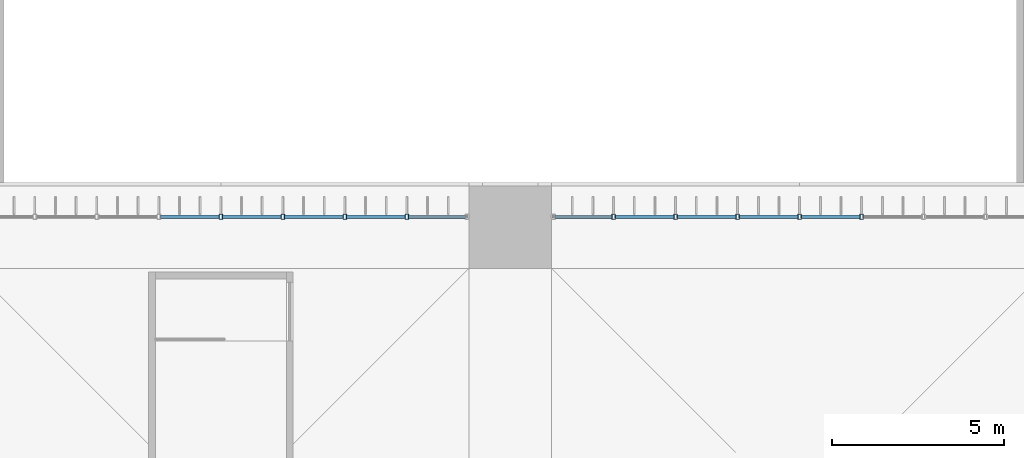
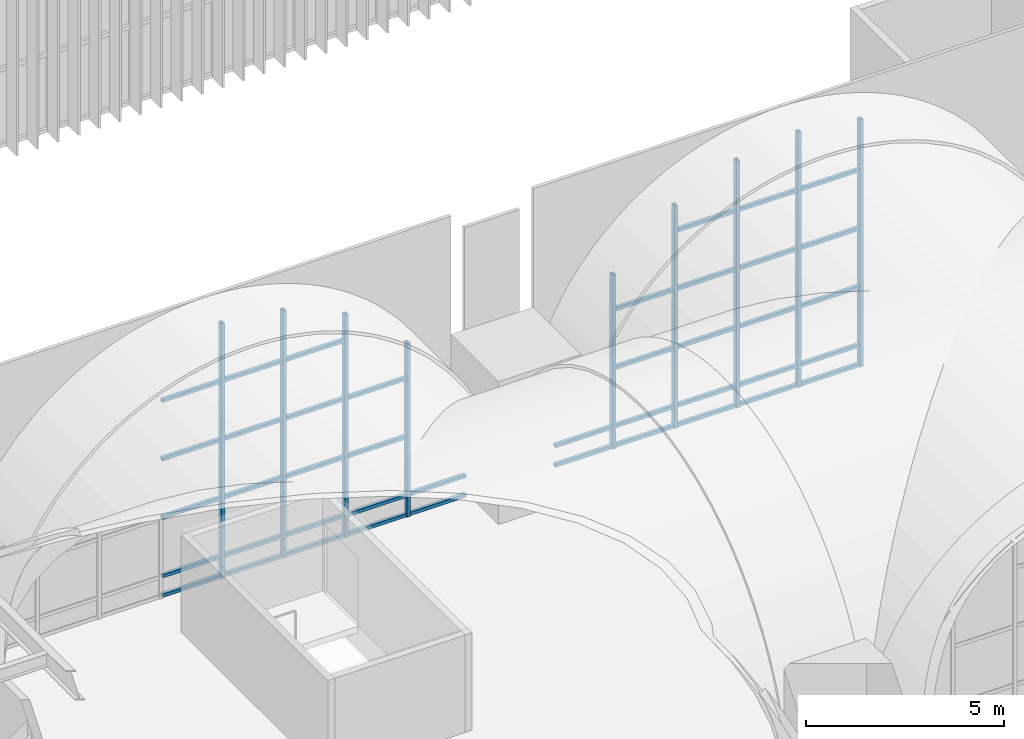
# One storey, part 28 of 169: 51 members, 2 elements without a shape of their own.
"""IFC4 building model written with IfcOpenShell, lengths in metres."""

from ifc_helpers import new_model, si_unit, direction, frame, origin, origin_2d, place, context, subcontext, project, spatial, hollow_rectangle, extrude, material, layer, layer_set, material_profile, profile_set, type_object, element, aggregate, save


model = new_model("IFC4")

# Units and contexts
model_context = context("Model", 3, precision=1e-05, world=origin(), true_north=direction((0.0, 1.0)))
body_context = subcontext(model_context, "Body", "Model", "MODEL_VIEW")
ifc_project = project(units=[si_unit("LENGTHUNIT", "METRE"), si_unit("AREAUNIT", "SQUARE_METRE"), si_unit("VOLUMEUNIT", "CUBIC_METRE"), si_unit("PLANEANGLEUNIT", "RADIAN"), si_unit("MASSUNIT", "GRAM", prefix="KILO")], contexts=[model_context])

# Site, building, storey
site_placement = place(None, origin())
site = spatial("IfcSite", under=ifc_project, at=site_placement, CompositionType="ELEMENT")
building_placement = place(site_placement, origin())
building = spatial("IfcBuilding", under=site, at=building_placement, Name="Verrick Yard Athletic Hall", CompositionType="ELEMENT")
storey_placement = place(building_placement, frame((0.0, 0.0, 4.39990234375)))
storey = spatial("IfcBuildingStorey", under=building, at=storey_placement, Name="L01", CompositionType="ELEMENT", Elevation=4.39990234375)

# Curtain wall, members
ifc_material_1 = material(Name="Aluminium and glass curtain wall", Category="aluminium")
ifc_layer = layer(ifc_material_1, 0.14990234375)
ifc_layer_set = layer_set([ifc_layer], Name="Arcade glazing arch")
curtain_wall_type = type_object("IfcCurtainWallType", Name="Arcade glazing arch", PredefinedType="NOTDEFINED", material=ifc_layer_set)
curtain_wall_1_placement = place(storey_placement, origin())
curtain_wall_1 = element("IfcCurtainWall", 1, at=curtain_wall_1_placement, inside=storey, type_object=curtain_wall_type, Name="Arcade glazing N1", PredefinedType="NOTDEFINED")
ifc_material_2 = material(Name="Structural steel HSS Class C 350W (CSA G40.20/G40.21)", Category="steel")
ifc_material_profile_1 = material_profile(ifc_material_2, hollow_rectangle(XDim=0.1015625, YDim=0.15234375, WallThickness=0.008056640625, at=origin_2d()), Name="HSS152x102x7.9")
ifc_profile_set_1 = profile_set([ifc_material_profile_1], Name="Structural steel HSS Class C 350W (CSA G40.20/G40.21)")
member_type_1 = type_object("IfcMemberType", Name="Curtain wall mullion HSS152x102x7.9", PredefinedType="MULLION", material=ifc_profile_set_1)
member_1_placement = place(storey_placement, frame((48.39990234375, 53.10009765625, 0.0), z_axis=(0.0, 0.0, 1.0), x_axis=(1.0, 0.0, 0.0)))
member_1 = element("IfcMember", 2, at=member_1_placement, type_object=member_type_1, Name="Arcade glazing N1 mullion 5", PredefinedType="MULLION", context=body_context, shape_type="SweptSolid", body=[
    extrude(hollow_rectangle(XDim=0.1015625, YDim=0.15234375, WallThickness=0.008056640625, at=origin_2d()), origin(), (0.0, 0.0, 1.0), 7.8486328125),
])
member_2_placement = place(storey_placement, frame((50.199951171875, 53.10009765625, 0.0), z_axis=(0.0, 0.0, 1.0), x_axis=(1.0, 0.0, 0.0)))
member_2 = element("IfcMember", 3, at=member_2_placement, type_object=member_type_1, Name="Arcade glazing N1 mullion 6", PredefinedType="MULLION", context=body_context, shape_type="SweptSolid", body=[
    extrude(hollow_rectangle(XDim=0.1015625, YDim=0.15234375, WallThickness=0.008056640625, at=origin_2d()), origin(), (0.0, 0.0, 1.0), 7.607666015625),
])
member_3_placement = place(storey_placement, frame((52.0, 53.10009765625, 0.0), z_axis=(0.0, 0.0, 1.0), x_axis=(1.0, 0.0, 0.0)))
member_3 = element("IfcMember", 4, at=member_3_placement, type_object=member_type_1, Name="Arcade glazing N1 mullion 7", PredefinedType="MULLION", context=body_context, shape_type="SweptSolid", body=[
    extrude(hollow_rectangle(XDim=0.1015625, YDim=0.15234375, WallThickness=0.008056640625, at=origin_2d()), origin(), (0.0, 0.0, 1.0), 6.8544921875),
])
member_4_placement = place(storey_placement, frame((53.800048828125, 53.10009765625, 0.0), z_axis=(0.0, 0.0, 1.0), x_axis=(1.0, 0.0, 0.0)))
member_4 = element("IfcMember", 5, at=member_4_placement, type_object=member_type_1, Name="Arcade glazing N1 mullion 8", PredefinedType="MULLION", context=body_context, shape_type="SweptSolid", body=[
    extrude(hollow_rectangle(XDim=0.1015625, YDim=0.15234375, WallThickness=0.008056640625, at=origin_2d()), origin(), (0.0, 0.0, 1.0), 5.351806640625),
])

curtain_wall_2_placement = place(storey_placement, origin())
curtain_wall_2 = element("IfcCurtainWall", 6, at=curtain_wall_2_placement, inside=storey, type_object=curtain_wall_type, Name="Arcade glazing N2", PredefinedType="NOTDEFINED")
member_5_placement = place(storey_placement, frame((59.800048828125, 53.10009765625, 0.0), z_axis=(0.0, 0.0, 1.0), x_axis=(1.0, 0.0, 0.0)))
member_5 = element("IfcMember", 7, at=member_5_placement, type_object=member_type_1, Name="Arcade glazing N2 mullion 2", PredefinedType="MULLION", context=body_context, shape_type="SweptSolid", body=[
    extrude(hollow_rectangle(XDim=0.1015625, YDim=0.15234375, WallThickness=0.008056640625, at=origin_2d()), origin(), (0.0, 0.0, 1.0), 5.351806640625),
])
member_6_placement = place(storey_placement, frame((61.60009765625, 53.10009765625, 0.0), z_axis=(0.0, 0.0, 1.0), x_axis=(1.0, 0.0, 0.0)))
member_6 = element("IfcMember", 8, at=member_6_placement, type_object=member_type_1, Name="Arcade glazing N2 mullion 3", PredefinedType="MULLION", context=body_context, shape_type="SweptSolid", body=[
    extrude(hollow_rectangle(XDim=0.1015625, YDim=0.15234375, WallThickness=0.008056640625, at=origin_2d()), origin(), (0.0, 0.0, 1.0), 6.8544921875),
])
member_7_placement = place(storey_placement, frame((63.39990234375, 53.10009765625, 0.0), z_axis=(0.0, 0.0, 1.0), x_axis=(1.0, 0.0, 0.0)))
member_7 = element("IfcMember", 9, at=member_7_placement, type_object=member_type_1, Name="Arcade glazing N2 mullion 4", PredefinedType="MULLION", context=body_context, shape_type="SweptSolid", body=[
    extrude(hollow_rectangle(XDim=0.1015625, YDim=0.15234375, WallThickness=0.008056640625, at=origin_2d()), origin(), (0.0, 0.0, 1.0), 7.607666015625),
])
member_8_placement = place(storey_placement, frame((65.199951171875, 53.10009765625, 0.0), z_axis=(0.0, 0.0, 1.0), x_axis=(1.0, 0.0, 0.0)))
member_8 = element("IfcMember", 10, at=member_8_placement, type_object=member_type_1, Name="Arcade glazing N2 mullion 5", PredefinedType="MULLION", context=body_context, shape_type="SweptSolid", body=[
    extrude(hollow_rectangle(XDim=0.1015625, YDim=0.15234375, WallThickness=0.008056640625, at=origin_2d()), origin(), (0.0, 0.0, 1.0), 7.8486328125),
])
member_9_placement = place(storey_placement, frame((67.0, 53.10009765625, 0.0), z_axis=(0.0, 0.0, 1.0), x_axis=(1.0, 0.0, 0.0)))
member_9 = element("IfcMember", 11, at=member_9_placement, type_object=member_type_1, Name="Arcade glazing N2 mullion 6", PredefinedType="MULLION", context=body_context, shape_type="SweptSolid", body=[
    extrude(hollow_rectangle(XDim=0.1015625, YDim=0.15234375, WallThickness=0.008056640625, at=origin_2d()), origin(), (0.0, 0.0, 1.0), 7.607666015625),
])

# Member
ifc_material_profile_2 = material_profile(ifc_material_2, hollow_rectangle(XDim=0.1015625, YDim=0.1015625, WallThickness=0.00634765625, at=origin_2d()), Name="HSS102x102x6.4")
ifc_profile_set_2 = profile_set([ifc_material_profile_2], Name="Structural steel HSS Class C 350W (CSA G40.20/G40.21)")
member_type_2 = type_object("IfcMemberType", Name="Curtain wall transom HSS102x102x6.4", PredefinedType="USERDEFINED", material=ifc_profile_set_2)
member_10_placement = place(storey_placement, frame((46.65087890625, 53.10009765625, 0.05078125), z_axis=(1.0, 0.0, 0.0), x_axis=(0.0, 1.0, 0.0)))
member_10 = element("IfcMember", 12, at=member_10_placement, type_object=member_type_2, Name="Arcade glazing N1 transom 12", ObjectType="TRANSOM", PredefinedType="USERDEFINED", context=body_context, shape_type="SweptSolid", body=[
    extrude(hollow_rectangle(XDim=0.1015625, YDim=0.1015625, WallThickness=0.00634765625, at=origin_2d()), origin(), (0.0, 0.0, 1.0), 1.6982421875),
])

member_11_placement = place(storey_placement, frame((46.65087890625, 53.10009765625, 0.650146484375), z_axis=(1.0, 0.0, 0.0), x_axis=(0.0, 1.0, 0.0)))
member_11 = element("IfcMember", 13, at=member_11_placement, type_object=member_type_2, Name="Arcade glazing N1 transom 13", ObjectType="TRANSOM", PredefinedType="USERDEFINED", context=body_context, shape_type="SweptSolid", body=[
    extrude(hollow_rectangle(XDim=0.1015625, YDim=0.1015625, WallThickness=0.00634765625, at=origin_2d()), origin(), (0.0, 0.0, 1.0), 1.6982421875),
])

member_12_placement = place(storey_placement, frame((46.65087890625, 53.10009765625, 2.4501953125), z_axis=(1.0, 0.0, 0.0), x_axis=(0.0, 1.0, 0.0)))
member_12 = element("IfcMember", 14, at=member_12_placement, type_object=member_type_2, Name="Arcade glazing N1 transom 14", ObjectType="TRANSOM", PredefinedType="USERDEFINED", context=body_context, shape_type="SweptSolid", body=[
    extrude(hollow_rectangle(XDim=0.1015625, YDim=0.1015625, WallThickness=0.00634765625, at=origin_2d()), origin(), (0.0, 0.0, 1.0), 1.6982421875),
])

member_13_placement = place(storey_placement, frame((46.65087890625, 53.10009765625, 4.25), z_axis=(1.0, 0.0, 0.0), x_axis=(0.0, 1.0, 0.0)))
member_13 = element("IfcMember", 15, at=member_13_placement, type_object=member_type_2, Name="Arcade glazing N1 transom 15", ObjectType="TRANSOM", PredefinedType="USERDEFINED", context=body_context, shape_type="SweptSolid", body=[
    extrude(hollow_rectangle(XDim=0.1015625, YDim=0.1015625, WallThickness=0.00634765625, at=origin_2d()), origin(), (0.0, 0.0, 1.0), 1.6982421875),
])

member_14_placement = place(storey_placement, frame((46.65087890625, 53.10009765625, 6.050048828125), z_axis=(1.0, 0.0, 0.0), x_axis=(0.0, 1.0, 0.0)))
member_14 = element("IfcMember", 16, at=member_14_placement, type_object=member_type_2, Name="Arcade glazing N1 transom 16", ObjectType="TRANSOM", PredefinedType="USERDEFINED", context=body_context, shape_type="SweptSolid", body=[
    extrude(hollow_rectangle(XDim=0.1015625, YDim=0.1015625, WallThickness=0.00634765625, at=origin_2d()), origin(), (0.0, 0.0, 1.0), 1.6982421875),
])

member_15_placement = place(storey_placement, frame((48.45068359375, 53.10009765625, 0.05078125), z_axis=(1.0, 0.0, 0.0), x_axis=(0.0, 1.0, 0.0)))
member_15 = element("IfcMember", 17, at=member_15_placement, type_object=member_type_2, Name="Arcade glazing N1 transom 17", ObjectType="TRANSOM", PredefinedType="USERDEFINED", context=body_context, shape_type="SweptSolid", body=[
    extrude(hollow_rectangle(XDim=0.1015625, YDim=0.1015625, WallThickness=0.00634765625, at=origin_2d()), origin(), (0.0, 0.0, 1.0), 1.698486328125),
])

member_16_placement = place(storey_placement, frame((48.45068359375, 53.10009765625, 0.650146484375), z_axis=(1.0, 0.0, 0.0), x_axis=(0.0, 1.0, 0.0)))
member_16 = element("IfcMember", 18, at=member_16_placement, type_object=member_type_2, Name="Arcade glazing N1 transom 18", ObjectType="TRANSOM", PredefinedType="USERDEFINED", context=body_context, shape_type="SweptSolid", body=[
    extrude(hollow_rectangle(XDim=0.1015625, YDim=0.1015625, WallThickness=0.00634765625, at=origin_2d()), origin(), (0.0, 0.0, 1.0), 1.698486328125),
])

member_17_placement = place(storey_placement, frame((48.45068359375, 53.10009765625, 2.4501953125), z_axis=(1.0, 0.0, 0.0), x_axis=(0.0, 1.0, 0.0)))
member_17 = element("IfcMember", 19, at=member_17_placement, type_object=member_type_2, Name="Arcade glazing N1 transom 19", ObjectType="TRANSOM", PredefinedType="USERDEFINED", context=body_context, shape_type="SweptSolid", body=[
    extrude(hollow_rectangle(XDim=0.1015625, YDim=0.1015625, WallThickness=0.00634765625, at=origin_2d()), origin(), (0.0, 0.0, 1.0), 1.698486328125),
])

member_18_placement = place(storey_placement, frame((48.45068359375, 53.10009765625, 4.25), z_axis=(1.0, 0.0, 0.0), x_axis=(0.0, 1.0, 0.0)))
member_18 = element("IfcMember", 20, at=member_18_placement, type_object=member_type_2, Name="Arcade glazing N1 transom 20", ObjectType="TRANSOM", PredefinedType="USERDEFINED", context=body_context, shape_type="SweptSolid", body=[
    extrude(hollow_rectangle(XDim=0.1015625, YDim=0.1015625, WallThickness=0.00634765625, at=origin_2d()), origin(), (0.0, 0.0, 1.0), 1.698486328125),
])

member_19_placement = place(storey_placement, frame((48.45068359375, 53.10009765625, 6.050048828125), z_axis=(1.0, 0.0, 0.0), x_axis=(0.0, 1.0, 0.0)))
member_19 = element("IfcMember", 21, at=member_19_placement, type_object=member_type_2, Name="Arcade glazing N1 transom 21", ObjectType="TRANSOM", PredefinedType="USERDEFINED", context=body_context, shape_type="SweptSolid", body=[
    extrude(hollow_rectangle(XDim=0.1015625, YDim=0.1015625, WallThickness=0.00634765625, at=origin_2d()), origin(), (0.0, 0.0, 1.0), 1.698486328125),
])

member_20_placement = place(storey_placement, frame((50.250732421875, 53.10009765625, 0.05078125), z_axis=(1.0, 0.0, 0.0), x_axis=(0.0, 1.0, 0.0)))
member_20 = element("IfcMember", 22, at=member_20_placement, type_object=member_type_2, Name="Arcade glazing N1 transom 22", ObjectType="TRANSOM", PredefinedType="USERDEFINED", context=body_context, shape_type="SweptSolid", body=[
    extrude(hollow_rectangle(XDim=0.1015625, YDim=0.1015625, WallThickness=0.00634765625, at=origin_2d()), origin(), (0.0, 0.0, 1.0), 1.698486328125),
])

member_21_placement = place(storey_placement, frame((50.250732421875, 53.10009765625, 0.650146484375), z_axis=(1.0, 0.0, 0.0), x_axis=(0.0, 1.0, 0.0)))
member_21 = element("IfcMember", 23, at=member_21_placement, type_object=member_type_2, Name="Arcade glazing N1 transom 23", ObjectType="TRANSOM", PredefinedType="USERDEFINED", context=body_context, shape_type="SweptSolid", body=[
    extrude(hollow_rectangle(XDim=0.1015625, YDim=0.1015625, WallThickness=0.00634765625, at=origin_2d()), origin(), (0.0, 0.0, 1.0), 1.698486328125),
])

member_22_placement = place(storey_placement, frame((50.250732421875, 53.10009765625, 2.4501953125), z_axis=(1.0, 0.0, 0.0), x_axis=(0.0, 1.0, 0.0)))
member_22 = element("IfcMember", 24, at=member_22_placement, type_object=member_type_2, Name="Arcade glazing N1 transom 24", ObjectType="TRANSOM", PredefinedType="USERDEFINED", context=body_context, shape_type="SweptSolid", body=[
    extrude(hollow_rectangle(XDim=0.1015625, YDim=0.1015625, WallThickness=0.00634765625, at=origin_2d()), origin(), (0.0, 0.0, 1.0), 1.698486328125),
])

member_23_placement = place(storey_placement, frame((50.250732421875, 53.10009765625, 4.25), z_axis=(1.0, 0.0, 0.0), x_axis=(0.0, 1.0, 0.0)))
member_23 = element("IfcMember", 25, at=member_23_placement, type_object=member_type_2, Name="Arcade glazing N1 transom 25", ObjectType="TRANSOM", PredefinedType="USERDEFINED", context=body_context, shape_type="SweptSolid", body=[
    extrude(hollow_rectangle(XDim=0.1015625, YDim=0.1015625, WallThickness=0.00634765625, at=origin_2d()), origin(), (0.0, 0.0, 1.0), 1.698486328125),
])

member_24_placement = place(storey_placement, frame((50.250732421875, 53.10009765625, 6.050048828125), z_axis=(1.0, 0.0, 0.0), x_axis=(0.0, 1.0, 0.0)))
member_24 = element("IfcMember", 26, at=member_24_placement, type_object=member_type_2, Name="Arcade glazing N1 transom 26", ObjectType="TRANSOM", PredefinedType="USERDEFINED", context=body_context, shape_type="SweptSolid", body=[
    extrude(hollow_rectangle(XDim=0.1015625, YDim=0.1015625, WallThickness=0.00634765625, at=origin_2d()), origin(), (0.0, 0.0, 1.0), 1.698486328125),
])

member_25_placement = place(storey_placement, frame((52.05078125, 53.10009765625, 0.05078125), z_axis=(1.0, 0.0, 0.0), x_axis=(0.0, 1.0, 0.0)))
member_25 = element("IfcMember", 27, at=member_25_placement, type_object=member_type_2, Name="Arcade glazing N1 transom 27", ObjectType="TRANSOM", PredefinedType="USERDEFINED", context=body_context, shape_type="SweptSolid", body=[
    extrude(hollow_rectangle(XDim=0.1015625, YDim=0.1015625, WallThickness=0.00634765625, at=origin_2d()), origin(), (0.0, 0.0, 1.0), 1.698486328125),
])

member_26_placement = place(storey_placement, frame((52.05078125, 53.10009765625, 0.650146484375), z_axis=(1.0, 0.0, 0.0), x_axis=(0.0, 1.0, 0.0)))
member_26 = element("IfcMember", 28, at=member_26_placement, type_object=member_type_2, Name="Arcade glazing N1 transom 28", ObjectType="TRANSOM", PredefinedType="USERDEFINED", context=body_context, shape_type="SweptSolid", body=[
    extrude(hollow_rectangle(XDim=0.1015625, YDim=0.1015625, WallThickness=0.00634765625, at=origin_2d()), origin(), (0.0, 0.0, 1.0), 1.698486328125),
])

member_27_placement = place(storey_placement, frame((52.05078125, 53.10009765625, 2.4501953125), z_axis=(1.0, 0.0, 0.0), x_axis=(0.0, 1.0, 0.0)))
member_27 = element("IfcMember", 29, at=member_27_placement, type_object=member_type_2, Name="Arcade glazing N1 transom 29", ObjectType="TRANSOM", PredefinedType="USERDEFINED", context=body_context, shape_type="SweptSolid", body=[
    extrude(hollow_rectangle(XDim=0.1015625, YDim=0.1015625, WallThickness=0.00634765625, at=origin_2d()), origin(), (0.0, 0.0, 1.0), 1.698486328125),
])

member_28_placement = place(storey_placement, frame((52.05078125, 53.10009765625, 4.25), z_axis=(1.0, 0.0, 0.0), x_axis=(0.0, 1.0, 0.0)))
member_28 = element("IfcMember", 30, at=member_28_placement, type_object=member_type_2, Name="Arcade glazing N1 transom 30", ObjectType="TRANSOM", PredefinedType="USERDEFINED", context=body_context, shape_type="SweptSolid", body=[
    extrude(hollow_rectangle(XDim=0.1015625, YDim=0.1015625, WallThickness=0.00634765625, at=origin_2d()), origin(), (0.0, 0.0, 1.0), 1.698486328125),
])

member_29_placement = place(storey_placement, frame((53.850830078125, 53.10009765625, 0.05078125), z_axis=(1.0, 0.0, 0.0), x_axis=(0.0, 1.0, 0.0)))
member_29 = element("IfcMember", 31, at=member_29_placement, type_object=member_type_2, Name="Arcade glazing N1 transom 31", ObjectType="TRANSOM", PredefinedType="USERDEFINED", context=body_context, shape_type="SweptSolid", body=[
    extrude(hollow_rectangle(XDim=0.1015625, YDim=0.1015625, WallThickness=0.00634765625, at=origin_2d()), origin(), (0.0, 0.0, 1.0), 1.64697265625),
])

member_30_placement = place(storey_placement, frame((53.850830078125, 53.10009765625, 0.650146484375), z_axis=(1.0, 0.0, 0.0), x_axis=(0.0, 1.0, 0.0)))
member_30 = element("IfcMember", 32, at=member_30_placement, type_object=member_type_2, Name="Arcade glazing N1 transom 32", ObjectType="TRANSOM", PredefinedType="USERDEFINED", context=body_context, shape_type="SweptSolid", body=[
    extrude(hollow_rectangle(XDim=0.1015625, YDim=0.1015625, WallThickness=0.00634765625, at=origin_2d()), origin(), (0.0, 0.0, 1.0), 1.64697265625),
])

aggregate(curtain_wall_1, [member_1, member_2, member_3, member_4, member_10, member_11, member_12, member_13, member_14, member_15, member_16, member_17, member_18, member_19, member_20, member_21, member_22, member_23, member_24, member_25, member_26, member_27, member_28, member_29, member_30])

member_31_placement = place(storey_placement, frame((58.10205078125, 53.10009765625, 0.05078125), z_axis=(1.0, 0.0, 0.0), x_axis=(0.0, 1.0, 0.0)))
member_31 = element("IfcMember", 33, at=member_31_placement, type_object=member_type_2, Name="Arcade glazing N2 transom 1", ObjectType="TRANSOM", PredefinedType="USERDEFINED", context=body_context, shape_type="SweptSolid", body=[
    extrude(hollow_rectangle(XDim=0.1015625, YDim=0.1015625, WallThickness=0.00634765625, at=origin_2d()), origin(), (0.0, 0.0, 1.0), 1.647216796875),
])

member_32_placement = place(storey_placement, frame((58.10205078125, 53.10009765625, 0.650146484375), z_axis=(1.0, 0.0, 0.0), x_axis=(0.0, 1.0, 0.0)))
member_32 = element("IfcMember", 34, at=member_32_placement, type_object=member_type_2, Name="Arcade glazing N2 transom 2", ObjectType="TRANSOM", PredefinedType="USERDEFINED", context=body_context, shape_type="SweptSolid", body=[
    extrude(hollow_rectangle(XDim=0.1015625, YDim=0.1015625, WallThickness=0.00634765625, at=origin_2d()), origin(), (0.0, 0.0, 1.0), 1.647216796875),
])

member_33_placement = place(storey_placement, frame((59.850830078125, 53.10009765625, 0.05078125), z_axis=(1.0, 0.0, 0.0), x_axis=(0.0, 1.0, 0.0)))
member_33 = element("IfcMember", 35, at=member_33_placement, type_object=member_type_2, Name="Arcade glazing N2 transom 3", ObjectType="TRANSOM", PredefinedType="USERDEFINED", context=body_context, shape_type="SweptSolid", body=[
    extrude(hollow_rectangle(XDim=0.1015625, YDim=0.1015625, WallThickness=0.00634765625, at=origin_2d()), origin(), (0.0, 0.0, 1.0), 1.698486328125),
])

member_34_placement = place(storey_placement, frame((59.850830078125, 53.10009765625, 0.650146484375), z_axis=(1.0, 0.0, 0.0), x_axis=(0.0, 1.0, 0.0)))
member_34 = element("IfcMember", 36, at=member_34_placement, type_object=member_type_2, Name="Arcade glazing N2 transom 4", ObjectType="TRANSOM", PredefinedType="USERDEFINED", context=body_context, shape_type="SweptSolid", body=[
    extrude(hollow_rectangle(XDim=0.1015625, YDim=0.1015625, WallThickness=0.00634765625, at=origin_2d()), origin(), (0.0, 0.0, 1.0), 1.698486328125),
])

member_35_placement = place(storey_placement, frame((59.850830078125, 53.10009765625, 2.4501953125), z_axis=(1.0, 0.0, 0.0), x_axis=(0.0, 1.0, 0.0)))
member_35 = element("IfcMember", 37, at=member_35_placement, type_object=member_type_2, Name="Arcade glazing N2 transom 5", ObjectType="TRANSOM", PredefinedType="USERDEFINED", context=body_context, shape_type="SweptSolid", body=[
    extrude(hollow_rectangle(XDim=0.1015625, YDim=0.1015625, WallThickness=0.00634765625, at=origin_2d()), origin(), (0.0, 0.0, 1.0), 1.698486328125),
])

member_36_placement = place(storey_placement, frame((59.850830078125, 53.10009765625, 4.25), z_axis=(1.0, 0.0, 0.0), x_axis=(0.0, 1.0, 0.0)))
member_36 = element("IfcMember", 38, at=member_36_placement, type_object=member_type_2, Name="Arcade glazing N2 transom 6", ObjectType="TRANSOM", PredefinedType="USERDEFINED", context=body_context, shape_type="SweptSolid", body=[
    extrude(hollow_rectangle(XDim=0.1015625, YDim=0.1015625, WallThickness=0.00634765625, at=origin_2d()), origin(), (0.0, 0.0, 1.0), 1.698486328125),
])

member_37_placement = place(storey_placement, frame((61.65087890625, 53.10009765625, 0.05078125), z_axis=(1.0, 0.0, 0.0), x_axis=(0.0, 1.0, 0.0)))
member_37 = element("IfcMember", 39, at=member_37_placement, type_object=member_type_2, Name="Arcade glazing N2 transom 7", ObjectType="TRANSOM", PredefinedType="USERDEFINED", context=body_context, shape_type="SweptSolid", body=[
    extrude(hollow_rectangle(XDim=0.1015625, YDim=0.1015625, WallThickness=0.00634765625, at=origin_2d()), origin(), (0.0, 0.0, 1.0), 1.6982421875),
])

member_38_placement = place(storey_placement, frame((61.65087890625, 53.10009765625, 0.650146484375), z_axis=(1.0, 0.0, 0.0), x_axis=(0.0, 1.0, 0.0)))
member_38 = element("IfcMember", 40, at=member_38_placement, type_object=member_type_2, Name="Arcade glazing N2 transom 8", ObjectType="TRANSOM", PredefinedType="USERDEFINED", context=body_context, shape_type="SweptSolid", body=[
    extrude(hollow_rectangle(XDim=0.1015625, YDim=0.1015625, WallThickness=0.00634765625, at=origin_2d()), origin(), (0.0, 0.0, 1.0), 1.6982421875),
])

member_39_placement = place(storey_placement, frame((61.65087890625, 53.10009765625, 2.4501953125), z_axis=(1.0, 0.0, 0.0), x_axis=(0.0, 1.0, 0.0)))
member_39 = element("IfcMember", 41, at=member_39_placement, type_object=member_type_2, Name="Arcade glazing N2 transom 9", ObjectType="TRANSOM", PredefinedType="USERDEFINED", context=body_context, shape_type="SweptSolid", body=[
    extrude(hollow_rectangle(XDim=0.1015625, YDim=0.1015625, WallThickness=0.00634765625, at=origin_2d()), origin(), (0.0, 0.0, 1.0), 1.6982421875),
])

member_40_placement = place(storey_placement, frame((61.65087890625, 53.10009765625, 4.25), z_axis=(1.0, 0.0, 0.0), x_axis=(0.0, 1.0, 0.0)))
member_40 = element("IfcMember", 42, at=member_40_placement, type_object=member_type_2, Name="Arcade glazing N2 transom 10", ObjectType="TRANSOM", PredefinedType="USERDEFINED", context=body_context, shape_type="SweptSolid", body=[
    extrude(hollow_rectangle(XDim=0.1015625, YDim=0.1015625, WallThickness=0.00634765625, at=origin_2d()), origin(), (0.0, 0.0, 1.0), 1.6982421875),
])

member_41_placement = place(storey_placement, frame((61.65087890625, 53.10009765625, 6.050048828125), z_axis=(1.0, 0.0, 0.0), x_axis=(0.0, 1.0, 0.0)))
member_41 = element("IfcMember", 43, at=member_41_placement, type_object=member_type_2, Name="Arcade glazing N2 transom 11", ObjectType="TRANSOM", PredefinedType="USERDEFINED", context=body_context, shape_type="SweptSolid", body=[
    extrude(hollow_rectangle(XDim=0.1015625, YDim=0.1015625, WallThickness=0.00634765625, at=origin_2d()), origin(), (0.0, 0.0, 1.0), 1.6982421875),
])

member_42_placement = place(storey_placement, frame((63.45068359375, 53.10009765625, 0.05078125), z_axis=(1.0, 0.0, 0.0), x_axis=(0.0, 1.0, 0.0)))
member_42 = element("IfcMember", 44, at=member_42_placement, type_object=member_type_2, Name="Arcade glazing N2 transom 12", ObjectType="TRANSOM", PredefinedType="USERDEFINED", context=body_context, shape_type="SweptSolid", body=[
    extrude(hollow_rectangle(XDim=0.1015625, YDim=0.1015625, WallThickness=0.00634765625, at=origin_2d()), origin(), (0.0, 0.0, 1.0), 1.698486328125),
])

member_43_placement = place(storey_placement, frame((63.45068359375, 53.10009765625, 0.650146484375), z_axis=(1.0, 0.0, 0.0), x_axis=(0.0, 1.0, 0.0)))
member_43 = element("IfcMember", 45, at=member_43_placement, type_object=member_type_2, Name="Arcade glazing N2 transom 13", ObjectType="TRANSOM", PredefinedType="USERDEFINED", context=body_context, shape_type="SweptSolid", body=[
    extrude(hollow_rectangle(XDim=0.1015625, YDim=0.1015625, WallThickness=0.00634765625, at=origin_2d()), origin(), (0.0, 0.0, 1.0), 1.698486328125),
])

member_44_placement = place(storey_placement, frame((63.45068359375, 53.10009765625, 2.4501953125), z_axis=(1.0, 0.0, 0.0), x_axis=(0.0, 1.0, 0.0)))
member_44 = element("IfcMember", 46, at=member_44_placement, type_object=member_type_2, Name="Arcade glazing N2 transom 14", ObjectType="TRANSOM", PredefinedType="USERDEFINED", context=body_context, shape_type="SweptSolid", body=[
    extrude(hollow_rectangle(XDim=0.1015625, YDim=0.1015625, WallThickness=0.00634765625, at=origin_2d()), origin(), (0.0, 0.0, 1.0), 1.698486328125),
])

member_45_placement = place(storey_placement, frame((63.45068359375, 53.10009765625, 4.25), z_axis=(1.0, 0.0, 0.0), x_axis=(0.0, 1.0, 0.0)))
member_45 = element("IfcMember", 47, at=member_45_placement, type_object=member_type_2, Name="Arcade glazing N2 transom 15", ObjectType="TRANSOM", PredefinedType="USERDEFINED", context=body_context, shape_type="SweptSolid", body=[
    extrude(hollow_rectangle(XDim=0.1015625, YDim=0.1015625, WallThickness=0.00634765625, at=origin_2d()), origin(), (0.0, 0.0, 1.0), 1.698486328125),
])

member_46_placement = place(storey_placement, frame((63.45068359375, 53.10009765625, 6.050048828125), z_axis=(1.0, 0.0, 0.0), x_axis=(0.0, 1.0, 0.0)))
member_46 = element("IfcMember", 48, at=member_46_placement, type_object=member_type_2, Name="Arcade glazing N2 transom 16", ObjectType="TRANSOM", PredefinedType="USERDEFINED", context=body_context, shape_type="SweptSolid", body=[
    extrude(hollow_rectangle(XDim=0.1015625, YDim=0.1015625, WallThickness=0.00634765625, at=origin_2d()), origin(), (0.0, 0.0, 1.0), 1.698486328125),
])

member_47_placement = place(storey_placement, frame((65.250732421875, 53.10009765625, 0.05078125), z_axis=(1.0, 0.0, 0.0), x_axis=(0.0, 1.0, 0.0)))
member_47 = element("IfcMember", 49, at=member_47_placement, type_object=member_type_2, Name="Arcade glazing N2 transom 17", ObjectType="TRANSOM", PredefinedType="USERDEFINED", context=body_context, shape_type="SweptSolid", body=[
    extrude(hollow_rectangle(XDim=0.1015625, YDim=0.1015625, WallThickness=0.00634765625, at=origin_2d()), origin(), (0.0, 0.0, 1.0), 1.698486328125),
])

member_48_placement = place(storey_placement, frame((65.250732421875, 53.10009765625, 0.650146484375), z_axis=(1.0, 0.0, 0.0), x_axis=(0.0, 1.0, 0.0)))
member_48 = element("IfcMember", 50, at=member_48_placement, type_object=member_type_2, Name="Arcade glazing N2 transom 18", ObjectType="TRANSOM", PredefinedType="USERDEFINED", context=body_context, shape_type="SweptSolid", body=[
    extrude(hollow_rectangle(XDim=0.1015625, YDim=0.1015625, WallThickness=0.00634765625, at=origin_2d()), origin(), (0.0, 0.0, 1.0), 1.698486328125),
])

member_49_placement = place(storey_placement, frame((65.250732421875, 53.10009765625, 2.4501953125), z_axis=(1.0, 0.0, 0.0), x_axis=(0.0, 1.0, 0.0)))
member_49 = element("IfcMember", 51, at=member_49_placement, type_object=member_type_2, Name="Arcade glazing N2 transom 19", ObjectType="TRANSOM", PredefinedType="USERDEFINED", context=body_context, shape_type="SweptSolid", body=[
    extrude(hollow_rectangle(XDim=0.1015625, YDim=0.1015625, WallThickness=0.00634765625, at=origin_2d()), origin(), (0.0, 0.0, 1.0), 1.698486328125),
])

member_50_placement = place(storey_placement, frame((65.250732421875, 53.10009765625, 4.25), z_axis=(1.0, 0.0, 0.0), x_axis=(0.0, 1.0, 0.0)))
member_50 = element("IfcMember", 52, at=member_50_placement, type_object=member_type_2, Name="Arcade glazing N2 transom 20", ObjectType="TRANSOM", PredefinedType="USERDEFINED", context=body_context, shape_type="SweptSolid", body=[
    extrude(hollow_rectangle(XDim=0.1015625, YDim=0.1015625, WallThickness=0.00634765625, at=origin_2d()), origin(), (0.0, 0.0, 1.0), 1.698486328125),
])

member_51_placement = place(storey_placement, frame((65.250732421875, 53.10009765625, 6.050048828125), z_axis=(1.0, 0.0, 0.0), x_axis=(0.0, 1.0, 0.0)))
member_51 = element("IfcMember", 53, at=member_51_placement, type_object=member_type_2, Name="Arcade glazing N2 transom 21", ObjectType="TRANSOM", PredefinedType="USERDEFINED", context=body_context, shape_type="SweptSolid", body=[
    extrude(hollow_rectangle(XDim=0.1015625, YDim=0.1015625, WallThickness=0.00634765625, at=origin_2d()), origin(), (0.0, 0.0, 1.0), 1.698486328125),
])

aggregate(curtain_wall_2, [member_5, member_6, member_7, member_8, member_9, member_31, member_32, member_33, member_34, member_35, member_36, member_37, member_38, member_39, member_40, member_41, member_42, member_43, member_44, member_45, member_46, member_47, member_48, member_49, member_50, member_51])

save(model, "model.ifc")
